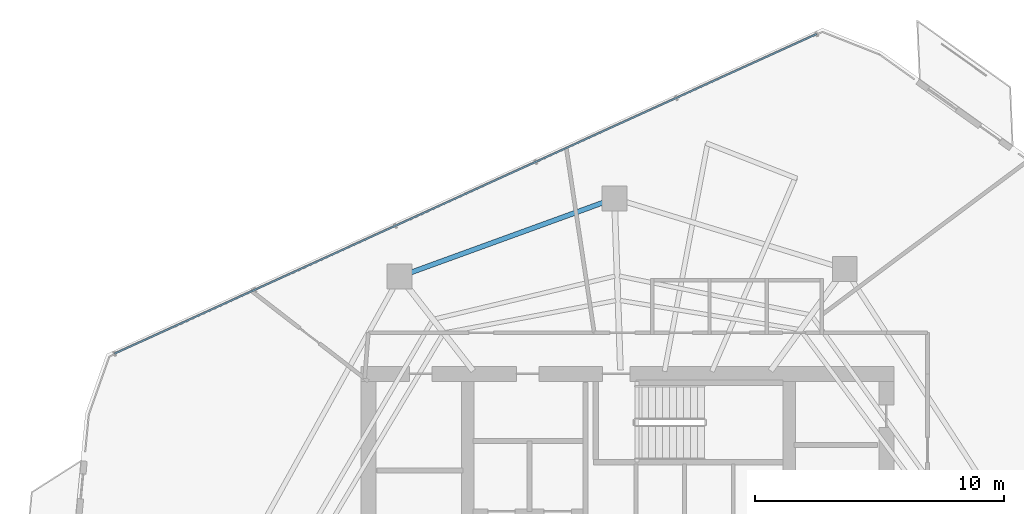
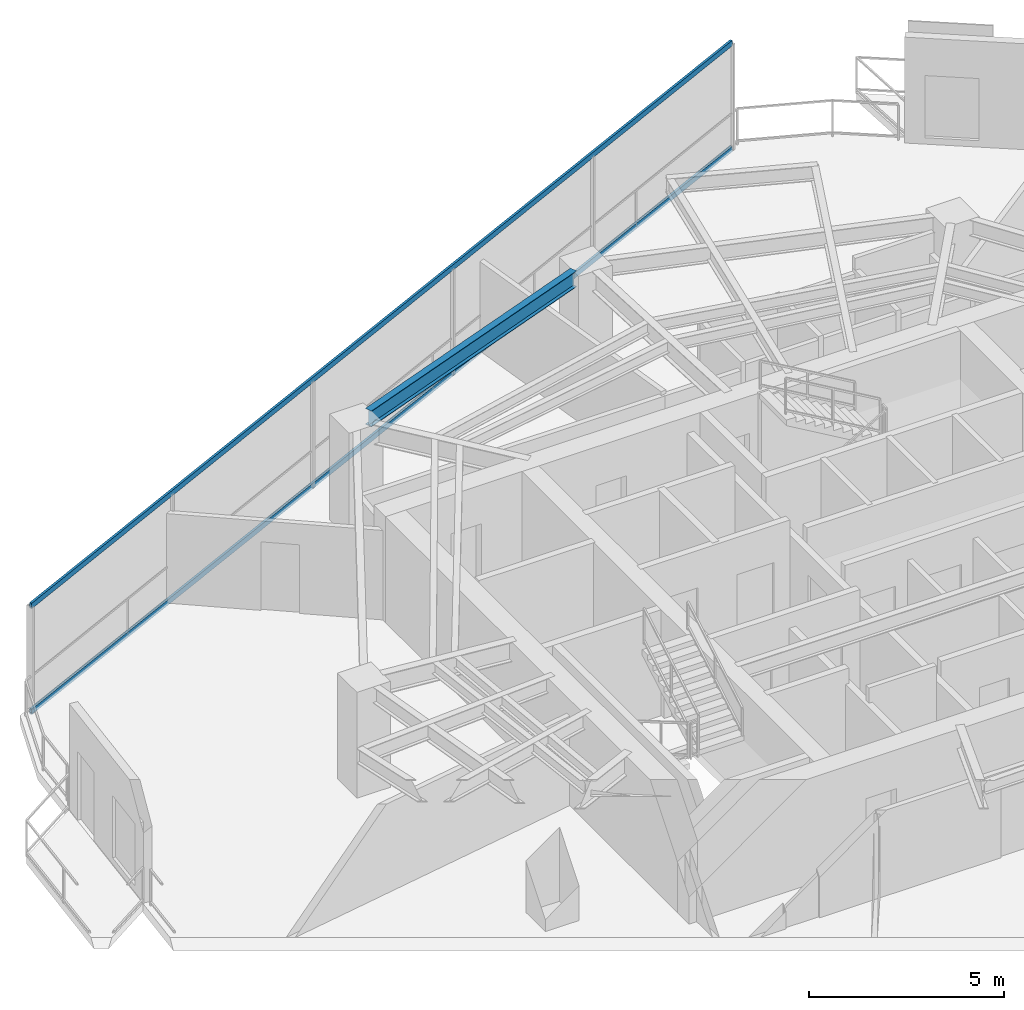
# One storey, part 13 of 21: 2 members, 1 beam, 1 element without a shape of its own.
"""IFC4 building model written with IfcOpenShell, lengths in metres."""

from ifc_helpers import new_model, si_unit, direction, frame, origin, origin_2d, place, context, subcontext, project, spatial, hollow_rectangle, i_section, extrude, material, layer, layer_set, material_profile, profile_set, type_object, element, aggregate, save


model = new_model("IFC4")

# Units and contexts
model_context = context("Model", 3, precision=1e-05, world=origin(), true_north=direction((0.0, 1.0)))
body_context = subcontext(model_context, "Body", "Model", "MODEL_VIEW")
ifc_project = project(units=[si_unit("LENGTHUNIT", "METRE"), si_unit("AREAUNIT", "SQUARE_METRE"), si_unit("VOLUMEUNIT", "CUBIC_METRE"), si_unit("PLANEANGLEUNIT", "RADIAN"), si_unit("MASSUNIT", "GRAM", prefix="KILO")], contexts=[model_context])

# Site, building, storey
site_placement = place(None, origin())
site = spatial("IfcSite", under=ifc_project, at=site_placement, CompositionType="ELEMENT")
building_placement = place(site_placement, origin())
building = spatial("IfcBuilding", under=site, at=building_placement, Name="Qarnah Convention Tower", CompositionType="ELEMENT")
storey_placement = place(building_placement, frame((0.0, 0.0, 158.10009765625)))
storey = spatial("IfcBuildingStorey", under=building, at=storey_placement, Name="L42", CompositionType="ELEMENT", Elevation=158.10009765625)

# Beam
ifc_material_1 = material(Name="Structural steel S355JR", Category="steel")
ifc_material_profile_1 = material_profile(ifc_material_1, i_section(OverallWidth=0.199951171875, OverallDepth=0.5, WebThickness=0.010009765625, FlangeThickness=0.01611328125, at=origin_2d()), Name="IPE500")
ifc_profile_set_1 = profile_set([ifc_material_profile_1], Name="Structural steel S355JR")
beam_type = type_object("IfcBeamType", Name="BM-SPN-IPE500", PredefinedType="SPANDREL", material=ifc_profile_set_1)
beam_placement = place(storey_placement, frame((36.221923828125, 41.072998046875, 3.06982421875), z_axis=(-0.939745596534, -0.341874558567, 0.0), x_axis=(0.341874558567, -0.939745596534, 0.0)))
element("IfcBeam", 1, at=beam_placement, inside=storey, type_object=beam_type, Name="L42 spandrel BM-L42-SPN-03", PredefinedType="SPANDREL", context=body_context, shape_type="SweptSolid", body=[
    extrude(i_section(OverallWidth=0.199951171875, OverallDepth=0.5, WebThickness=0.010009765625, FlangeThickness=0.01611328125, at=origin_2d()), origin(), (0.0, 0.0, 1.0), 8.19873046875),
])

# Curtain wall, members
ifc_material_2 = material(Name="Tempered Low-E dark glass", Category="glass")
ifc_layer = layer(ifc_material_2, 0.172119140625)
ifc_layer_set = layer_set([ifc_layer], Name="Tempered Low-E dark glass")
curtain_wall_type = type_object("IfcCurtainWallType", Name="CWS-03", PredefinedType="NOTDEFINED", material=ifc_layer_set)
curtain_wall_placement = place(storey_placement, origin())
curtain_wall = element("IfcCurtainWall", 2, at=curtain_wall_placement, inside=storey, type_object=curtain_wall_type, Name="L42 unitised curtain wall CW-L42-F1", PredefinedType="NOTDEFINED")
ifc_material_3 = material(Name="Black anodised aluminium", Category="aluminium")
ifc_material_profile_2 = material_profile(ifc_material_3, hollow_rectangle(XDim=0.070068359375, YDim=0.169921875, WallThickness=0.0048828125, at=origin_2d()), Name="TRN-70X170")
ifc_profile_set_2 = profile_set([ifc_material_profile_2], Name="Black anodised aluminium")
member_type = type_object("IfcMemberType", Name="TRN-T3", PredefinedType="USERDEFINED", material=ifc_profile_set_2)
member_1_placement = place(storey_placement, frame((16.614013671875, 35.008056640625, 0.0), z_axis=(0.910112036406, 0.414362258404, 0.0), x_axis=(-0.414362258404, 0.910112036406, 0.0)))
member_1 = element("IfcMember", 3, at=member_1_placement, type_object=member_type, Name="CW-L42-F1 transom 1", ObjectType="TRANSOM", PredefinedType="USERDEFINED", context=body_context, shape_type="SweptSolid", body=[
    extrude(hollow_rectangle(XDim=0.070068359375, YDim=0.169921875, WallThickness=0.0048828125, at=origin_2d()), origin(), (0.0, 0.0, 1.0), 30.97509765625),
])
member_2_placement = place(storey_placement, frame((16.614013671875, 35.008056640625, 3.31982421875), z_axis=(0.910112036406, 0.414362258404, 0.0), x_axis=(-0.414362258404, 0.910112036406, 0.0)))
member_2 = element("IfcMember", 4, at=member_2_placement, type_object=member_type, Name="CW-L42-F1 transom 2", ObjectType="TRANSOM", PredefinedType="USERDEFINED", context=body_context, shape_type="SweptSolid", body=[
    extrude(hollow_rectangle(XDim=0.070068359375, YDim=0.169921875, WallThickness=0.0048828125, at=origin_2d()), origin(), (0.0, 0.0, 1.0), 30.97509765625),
])
aggregate(curtain_wall, [member_1, member_2])

save(model, "model.ifc")
